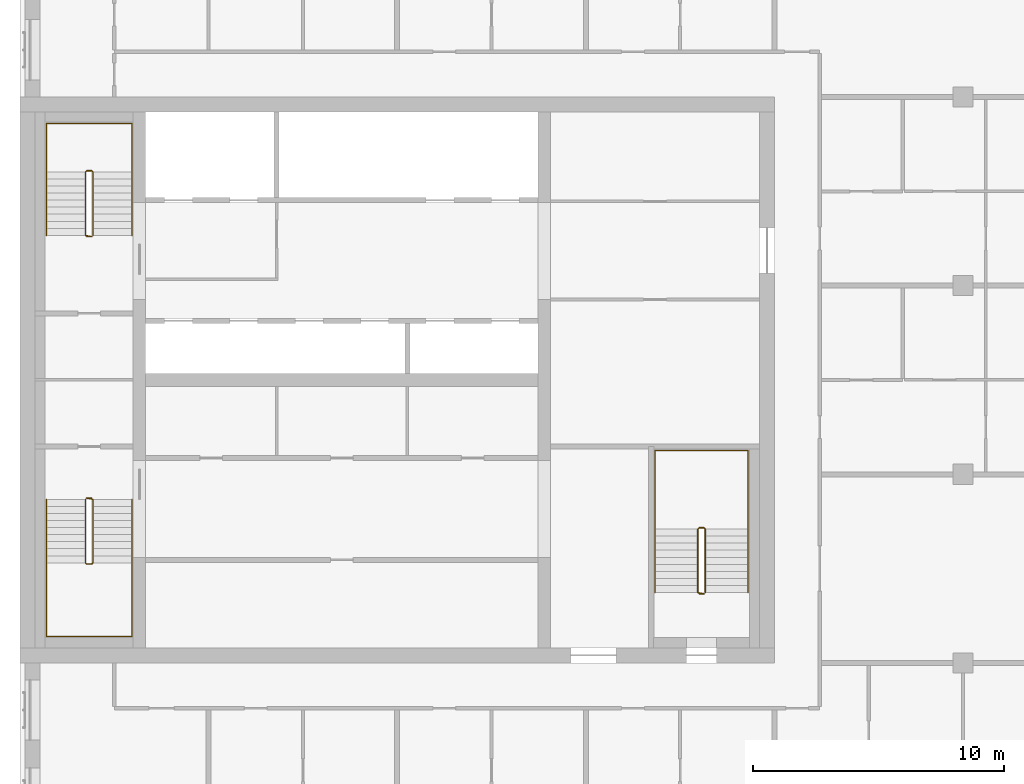
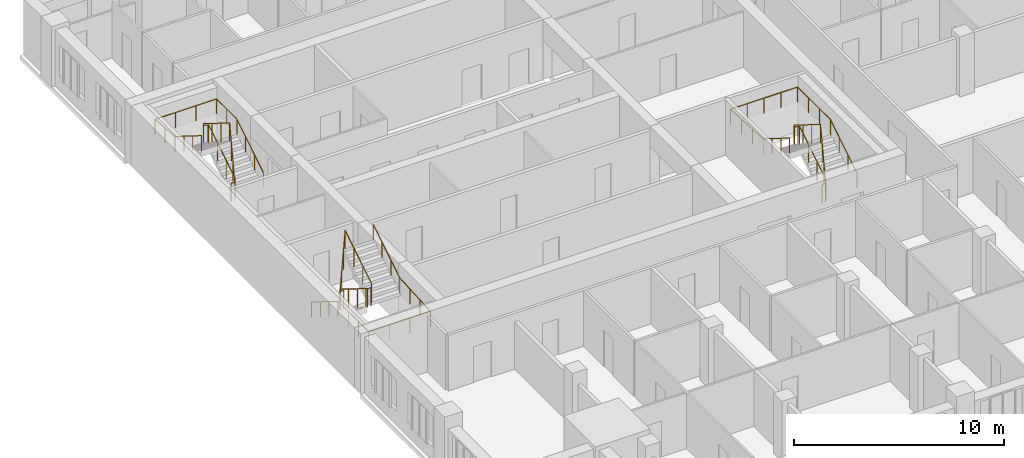
# One storey, part 11 of 11: 6 railings.
"""IFC4 building model written with IfcOpenShell, lengths in metres."""

from ifc_helpers import new_model, si_unit, direction, frame, origin, origin_2d, place, context, subcontext, project, spatial, circle, extrude, material, type_object, element, save


model = new_model("IFC4")

# Units and contexts
model_context = context("Model", 3, precision=1e-05, world=origin(), true_north=direction((0.0, 1.0)))
body_context = subcontext(model_context, "Body", "Model", "MODEL_VIEW")
ifc_project = project(units=[si_unit("LENGTHUNIT", "METRE"), si_unit("AREAUNIT", "SQUARE_METRE"), si_unit("VOLUMEUNIT", "CUBIC_METRE"), si_unit("PLANEANGLEUNIT", "RADIAN"), si_unit("MASSUNIT", "GRAM", prefix="KILO")], contexts=[model_context])

# Site, building, storey
site_placement = place(None, origin())
site = spatial("IfcSite", under=ifc_project, at=site_placement, CompositionType="ELEMENT")
building_placement = place(site_placement, origin())
building = spatial("IfcBuilding", under=site, at=building_placement, Name="Tamorin Gate", CompositionType="ELEMENT")
storey_placement = place(building_placement, frame((0.0, 0.0, 240.699951171875)))
storey = spatial("IfcBuildingStorey", under=building, at=storey_placement, Name="L60", CompositionType="ELEMENT", Elevation=240.699951171875)

# Railings
ifc_material_1 = material(Name="Painted steel balustrade", Category="steel")
railing_type_1 = type_object("IfcRailingType", Name="Stair guard 1100", PredefinedType="GUARDRAIL", material=ifc_material_1)
railing_1_placement = place(storey_placement, frame((32.60009765625, 66.5, 0.175048828125)))
element("IfcRailing", 1, at=railing_1_placement, inside=storey, type_object=railing_type_1, Name="L60 ST1 stair guard 1", PredefinedType="GUARDRAIL", context=body_context, shape_type="SweptSolid", body=[
    extrude(circle(Radius=0.02392578125, at=origin_2d()), frame((0.0, 0.0, 1.076171875), z_axis=(0.0, -0.848007534815, 0.529984170421), x_axis=(1.0, 0.0, 0.0)), (0.0, 0.0, 1.0), 2.9716796875),
    extrude(circle(Radius=0.02392578125, at=origin_2d()), frame((0.0, -2.52001953125, 2.65087890625), z_axis=(0.705375805398, -0.708833529934, 0.0), x_axis=(0.708833529934, 0.705375805398, 0.0)), (0.0, 0.0, 1.0), 0.070556640625),
    extrude(circle(Radius=0.02392578125, at=origin_2d()), frame((0.0498046875, -2.570068359375, 2.65087890625), z_axis=(1.0, 0.0, 0.0), x_axis=(0.0, 1.0, 0.0)), (0.0, 0.0, 1.0), 0.2001953125),
    extrude(circle(Radius=0.02392578125, at=origin_2d()), frame((0.25, -2.570068359375, 2.65087890625), z_axis=(0.263862480399, 0.265155923931, 0.927399011991), x_axis=(-0.708833529934, 0.705375805398, 0.0)), (0.0, 0.0, 1.0), 0.188720703125),
    extrude(circle(Radius=0.02392578125, at=origin_2d()), frame((0.2998046875, -2.52001953125, 2.826171875), z_axis=(0.0, 0.848007534815, 0.529984170421), x_axis=(-1.0, 0.0, 0.0)), (0.0, 0.0, 1.0), 2.9716796875),
    extrude(circle(Radius=0.02392578125, at=origin_2d()), frame((0.2998046875, 0.0, 4.40087890625), z_axis=(-0.071239803756, 0.014261874775, -0.997357252587), x_axis=(-0.196300278283, -0.98054382908, 0.0)), (0.0, 0.0, 1.0), 3.50927734375),
    extrude(circle(Radius=0.02392578125, at=origin_2d()), frame((0.0498046875, 0.050048828125, 0.90087890625), z_axis=(1.0, 0.0, 0.0), x_axis=(0.0, 1.0, 0.0)), (0.0, 0.0, 1.0), 0.2001953125),
    extrude(circle(Radius=0.02099609375, at=origin_2d()), origin(), (0.0, 0.0, 1.0), 1.052001953125),
    extrude(circle(Radius=0.02099609375, at=origin_2d()), frame((0.0, -0.840087890625, 0.52490234375)), (0.0, 0.0, 1.0), 1.052001953125),
    extrude(circle(Radius=0.02099609375, at=origin_2d()), frame((0.0, -1.679931640625, 1.050048828125)), (0.0, 0.0, 1.0), 1.052001953125),
    extrude(circle(Radius=0.02099609375, at=origin_2d()), frame((0.0, -2.52001953125, 1.574951171875)), (0.0, 0.0, 1.0), 1.052001953125),
    extrude(circle(Radius=0.02099609375, at=origin_2d()), frame((0.0498046875, -2.570068359375, 1.574951171875)), (0.0, 0.0, 1.0), 1.052001953125),
    extrude(circle(Radius=0.02099609375, at=origin_2d()), frame((0.25, -2.570068359375, 1.574951171875)), (0.0, 0.0, 1.0), 1.052001953125),
    extrude(circle(Radius=0.02099609375, at=origin_2d()), frame((0.2998046875, -2.52001953125, 1.75)), (0.0, 0.0, 1.0), 1.052001953125),
    extrude(circle(Radius=0.02099609375, at=origin_2d()), frame((0.2998046875, -1.679931640625, 2.27490234375)), (0.0, 0.0, 1.0), 1.052001953125),
    extrude(circle(Radius=0.02099609375, at=origin_2d()), frame((0.2998046875, -0.840087890625, 2.800048828125)), (0.0, 0.0, 1.0), 1.052001953125),
    extrude(circle(Radius=0.02099609375, at=origin_2d()), frame((0.2998046875, 0.0, 3.324951171875)), (0.0, 0.0, 1.0), 1.052001953125),
    extrude(circle(Radius=0.02099609375, at=origin_2d()), frame((0.216552734375, 0.0166015625, 2.158203125)), (0.0, 0.0, 1.0), 1.052001953125),
    extrude(circle(Radius=0.02099609375, at=origin_2d()), frame((0.133056640625, 0.033447265625, 0.99169921875)), (0.0, 0.0, 1.0), 1.052001953125),
    extrude(circle(Radius=0.02099609375, at=origin_2d()), frame((0.0498046875, 0.050048828125, -0.175048828125)), (0.0, 0.0, 1.0), 1.052001953125),
    extrude(circle(Radius=0.02099609375, at=origin_2d()), frame((0.25, 0.050048828125, -0.175048828125)), (0.0, 0.0, 1.0), 1.052001953125),
])
railing_2_placement = place(storey_placement, frame((32.89990234375, 77.0, 0.175048828125)))
element("IfcRailing", 2, at=railing_2_placement, inside=storey, type_object=railing_type_1, Name="L60 ST2 stair guard 1", PredefinedType="GUARDRAIL", context=body_context, shape_type="SweptSolid", body=[
    extrude(circle(Radius=0.02392578125, at=origin_2d()), frame((0.0, 0.0, 1.076171875), z_axis=(0.0, 0.848007534815, 0.529984170421), x_axis=(-1.0, 0.0, 0.0)), (0.0, 0.0, 1.0), 2.9716796875),
    extrude(circle(Radius=0.02392578125, at=origin_2d()), frame((0.0, 2.52001953125, 2.65087890625), z_axis=(-0.705375805398, 0.708833529934, 0.0), x_axis=(-0.708833529934, -0.705375805398, 0.0)), (0.0, 0.0, 1.0), 0.070556640625),
    extrude(circle(Radius=0.02392578125, at=origin_2d()), frame((-0.0498046875, 2.570068359375, 2.65087890625), z_axis=(-1.0, 0.0, 0.0), x_axis=(0.0, -1.0, 0.0)), (0.0, 0.0, 1.0), 0.2001953125),
    extrude(circle(Radius=0.02392578125, at=origin_2d()), frame((-0.25, 2.570068359375, 2.65087890625), z_axis=(-0.263862480399, -0.265155923931, 0.927399011991), x_axis=(0.708833529934, -0.705375805398, 0.0)), (0.0, 0.0, 1.0), 0.188720703125),
    extrude(circle(Radius=0.02392578125, at=origin_2d()), frame((-0.2998046875, 2.52001953125, 2.826171875), z_axis=(0.0, -0.848007534815, 0.529984170421), x_axis=(1.0, 0.0, 0.0)), (0.0, 0.0, 1.0), 2.9716796875),
    extrude(circle(Radius=0.02392578125, at=origin_2d()), frame((-0.2998046875, 0.0, 4.40087890625), z_axis=(0.071239803756, -0.014261874775, -0.997357252587), x_axis=(0.196300278283, 0.98054382908, 0.0)), (0.0, 0.0, 1.0), 3.50927734375),
    extrude(circle(Radius=0.02392578125, at=origin_2d()), frame((-0.0498046875, -0.050048828125, 0.90087890625), z_axis=(-1.0, 0.0, 0.0), x_axis=(0.0, -1.0, 0.0)), (0.0, 0.0, 1.0), 0.2001953125),
    extrude(circle(Radius=0.02099609375, at=origin_2d()), origin(), (0.0, 0.0, 1.0), 1.052001953125),
    extrude(circle(Radius=0.02099609375, at=origin_2d()), frame((0.0, 0.840087890625, 0.52490234375)), (0.0, 0.0, 1.0), 1.052001953125),
    extrude(circle(Radius=0.02099609375, at=origin_2d()), frame((0.0, 1.679931640625, 1.050048828125)), (0.0, 0.0, 1.0), 1.052001953125),
    extrude(circle(Radius=0.02099609375, at=origin_2d()), frame((0.0, 2.52001953125, 1.574951171875)), (0.0, 0.0, 1.0), 1.052001953125),
    extrude(circle(Radius=0.02099609375, at=origin_2d()), frame((-0.0498046875, 2.570068359375, 1.574951171875)), (0.0, 0.0, 1.0), 1.052001953125),
    extrude(circle(Radius=0.02099609375, at=origin_2d()), frame((-0.25, 2.570068359375, 1.574951171875)), (0.0, 0.0, 1.0), 1.052001953125),
    extrude(circle(Radius=0.02099609375, at=origin_2d()), frame((-0.2998046875, 2.52001953125, 1.75)), (0.0, 0.0, 1.0), 1.052001953125),
    extrude(circle(Radius=0.02099609375, at=origin_2d()), frame((-0.2998046875, 1.679931640625, 2.27490234375)), (0.0, 0.0, 1.0), 1.052001953125),
    extrude(circle(Radius=0.02099609375, at=origin_2d()), frame((-0.2998046875, 0.840087890625, 2.800048828125)), (0.0, 0.0, 1.0), 1.052001953125),
    extrude(circle(Radius=0.02099609375, at=origin_2d()), frame((-0.2998046875, 0.0, 3.324951171875)), (0.0, 0.0, 1.0), 1.052001953125),
    extrude(circle(Radius=0.02099609375, at=origin_2d()), frame((-0.216552734375, -0.0166015625, 2.158203125)), (0.0, 0.0, 1.0), 1.052001953125),
    extrude(circle(Radius=0.02099609375, at=origin_2d()), frame((-0.133056640625, -0.033447265625, 0.99169921875)), (0.0, 0.0, 1.0), 1.052001953125),
    extrude(circle(Radius=0.02099609375, at=origin_2d()), frame((-0.0498046875, -0.050048828125, -0.175048828125)), (0.0, 0.0, 1.0), 1.052001953125),
    extrude(circle(Radius=0.02099609375, at=origin_2d()), frame((-0.25, -0.050048828125, -0.175048828125)), (0.0, 0.0, 1.0), 1.052001953125),
])
railing_3_placement = place(storey_placement, frame((57.25, 62.800048828125, 0.175048828125)))
element("IfcRailing", 3, at=railing_3_placement, inside=storey, type_object=railing_type_1, Name="L60 ST3 stair guard 1", PredefinedType="GUARDRAIL", context=body_context, shape_type="SweptSolid", body=[
    extrude(circle(Radius=0.02392578125, at=origin_2d()), frame((0.0, 0.0, 1.076171875), z_axis=(0.0, 0.848007534815, 0.529984170421), x_axis=(-1.0, 0.0, 0.0)), (0.0, 0.0, 1.0), 2.9716796875),
    extrude(circle(Radius=0.02392578125, at=origin_2d()), frame((0.0, 2.52001953125, 2.65087890625), z_axis=(-0.707106781187, 0.707106781187, 0.0), x_axis=(-0.707106781187, -0.707106781187, 0.0)), (0.0, 0.0, 1.0), 0.07080078125),
    extrude(circle(Radius=0.02392578125, at=origin_2d()), frame((-0.050048828125, 2.570068359375, 2.65087890625), z_axis=(-1.0, 0.0, 0.0), x_axis=(0.0, -1.0, 0.0)), (0.0, 0.0, 1.0), 0.199951171875),
    extrude(circle(Radius=0.02392578125, at=origin_2d()), frame((-0.25, 2.570068359375, 2.65087890625), z_axis=(-0.265065253269, -0.265065253269, 0.927081885822), x_axis=(0.707106781187, -0.707106781187, 0.0)), (0.0, 0.0, 1.0), 0.188720703125),
    extrude(circle(Radius=0.02392578125, at=origin_2d()), frame((-0.300048828125, 2.52001953125, 2.826171875), z_axis=(0.0, -0.848007534815, 0.529984170421), x_axis=(1.0, 0.0, 0.0)), (0.0, 0.0, 1.0), 2.9716796875),
    extrude(circle(Radius=0.02392578125, at=origin_2d()), frame((-0.300048828125, 0.0, 4.40087890625), z_axis=(0.071239803756, -0.014261874775, -0.997357252587), x_axis=(0.196300278283, 0.98054382908, 0.0)), (0.0, 0.0, 1.0), 3.50927734375),
    extrude(circle(Radius=0.02392578125, at=origin_2d()), frame((-0.050048828125, -0.050048828125, 0.90087890625), z_axis=(-1.0, 0.0, 0.0), x_axis=(0.0, -1.0, 0.0)), (0.0, 0.0, 1.0), 0.199951171875),
    extrude(circle(Radius=0.02099609375, at=origin_2d()), origin(), (0.0, 0.0, 1.0), 1.052001953125),
    extrude(circle(Radius=0.02099609375, at=origin_2d()), frame((0.0, 0.840087890625, 0.52490234375)), (0.0, 0.0, 1.0), 1.052001953125),
    extrude(circle(Radius=0.02099609375, at=origin_2d()), frame((0.0, 1.679931640625, 1.050048828125)), (0.0, 0.0, 1.0), 1.052001953125),
    extrude(circle(Radius=0.02099609375, at=origin_2d()), frame((0.0, 2.52001953125, 1.574951171875)), (0.0, 0.0, 1.0), 1.052001953125),
    extrude(circle(Radius=0.02099609375, at=origin_2d()), frame((-0.050048828125, 2.570068359375, 1.574951171875)), (0.0, 0.0, 1.0), 1.052001953125),
    extrude(circle(Radius=0.02099609375, at=origin_2d()), frame((-0.25, 2.570068359375, 1.574951171875)), (0.0, 0.0, 1.0), 1.052001953125),
    extrude(circle(Radius=0.02099609375, at=origin_2d()), frame((-0.300048828125, 2.52001953125, 1.75)), (0.0, 0.0, 1.0), 1.052001953125),
    extrude(circle(Radius=0.02099609375, at=origin_2d()), frame((-0.300048828125, 1.679931640625, 2.27490234375)), (0.0, 0.0, 1.0), 1.052001953125),
    extrude(circle(Radius=0.02099609375, at=origin_2d()), frame((-0.300048828125, 0.840087890625, 2.800048828125)), (0.0, 0.0, 1.0), 1.052001953125),
    extrude(circle(Radius=0.02099609375, at=origin_2d()), frame((-0.300048828125, 0.0, 3.324951171875)), (0.0, 0.0, 1.0), 1.052001953125),
    extrude(circle(Radius=0.02099609375, at=origin_2d()), frame((-0.216796875, -0.0166015625, 2.158203125)), (0.0, 0.0, 1.0), 1.052001953125),
    extrude(circle(Radius=0.02099609375, at=origin_2d()), frame((-0.13330078125, -0.033447265625, 0.99169921875)), (0.0, 0.0, 1.0), 1.052001953125),
    extrude(circle(Radius=0.02099609375, at=origin_2d()), frame((-0.050048828125, -0.050048828125, -0.175048828125)), (0.0, 0.0, 1.0), 1.052001953125),
    extrude(circle(Radius=0.02099609375, at=origin_2d()), frame((-0.25, -0.050048828125, -0.175048828125)), (0.0, 0.0, 1.0), 1.052001953125),
])
ifc_material_2 = material(Name="Painted steel handrail", Category="steel")
railing_type_2 = type_object("IfcRailingType", Name="Stair handrail 900", PredefinedType="HANDRAIL", material=ifc_material_2)
railing_4_placement = place(storey_placement, frame((31.050048828125, 66.5, 0.175048828125)))
element("IfcRailing", 4, at=railing_4_placement, inside=storey, type_object=railing_type_2, Name="L60 ST1 stair handrail 1", PredefinedType="HANDRAIL", context=body_context, shape_type="SweptSolid", body=[
    extrude(circle(Radius=0.02392578125, at=origin_2d()), frame((0.0, 0.0, 0.8759765625), z_axis=(0.0, -0.848007534815, 0.529984170421), x_axis=(1.0, 0.0, 0.0)), (0.0, 0.0, 1.0), 2.9716796875),
    extrude(circle(Radius=0.02392578125, at=origin_2d()), frame((0.0, -2.52001953125, 2.45068359375), z_axis=(0.0, -1.0, 0.0), x_axis=(1.0, 0.0, 0.0)), (0.0, 0.0, 1.0), 2.929931640625),
    extrude(circle(Radius=0.02392578125, at=origin_2d()), frame((0.0, -5.449951171875, 2.45068359375), z_axis=(1.0, 0.0, 0.0), x_axis=(0.0, 1.0, 0.0)), (0.0, 0.0, 1.0), 3.39990234375),
    extrude(circle(Radius=0.02392578125, at=origin_2d()), frame((3.39990234375, -5.449951171875, 2.45068359375), z_axis=(0.0, 0.998220029962, 0.0596386769), x_axis=(-1.0, 0.0, 0.0)), (0.0, 0.0, 1.0), 2.93505859375),
    extrude(circle(Radius=0.02392578125, at=origin_2d()), frame((3.39990234375, -2.52001953125, 2.6259765625), z_axis=(0.0, 0.848007534815, 0.529984170421), x_axis=(-1.0, 0.0, 0.0)), (0.0, 0.0, 1.0), 2.9716796875),
    extrude(circle(Radius=0.02099609375, at=origin_2d()), origin(), (0.0, 0.0, 1.0), 0.851806640625),
    extrude(circle(Radius=0.02099609375, at=origin_2d()), frame((0.0, -0.840087890625, 0.52490234375)), (0.0, 0.0, 1.0), 0.851806640625),
    extrude(circle(Radius=0.02099609375, at=origin_2d()), frame((0.0, -1.679931640625, 1.050048828125)), (0.0, 0.0, 1.0), 0.851806640625),
    extrude(circle(Radius=0.02099609375, at=origin_2d()), frame((0.0, -2.52001953125, 1.574951171875)), (0.0, 0.0, 1.0), 0.851806640625),
    extrude(circle(Radius=0.02099609375, at=origin_2d()), frame((0.0, -3.49658203125, 1.574951171875)), (0.0, 0.0, 1.0), 0.851806640625),
    extrude(circle(Radius=0.02099609375, at=origin_2d()), frame((0.0, -4.473388671875, 1.574951171875)), (0.0, 0.0, 1.0), 0.851806640625),
    extrude(circle(Radius=0.02099609375, at=origin_2d()), frame((0.0, -5.449951171875, 1.574951171875)), (0.0, 0.0, 1.0), 0.851806640625),
    extrude(circle(Radius=0.02099609375, at=origin_2d()), frame((1.13330078125, -5.449951171875, 1.574951171875)), (0.0, 0.0, 1.0), 0.851806640625),
    extrude(circle(Radius=0.02099609375, at=origin_2d()), frame((2.2666015625, -5.449951171875, 1.574951171875)), (0.0, 0.0, 1.0), 0.851806640625),
    extrude(circle(Radius=0.02099609375, at=origin_2d()), frame((3.39990234375, -5.449951171875, 1.574951171875)), (0.0, 0.0, 1.0), 0.851806640625),
    extrude(circle(Radius=0.02099609375, at=origin_2d()), frame((3.39990234375, -4.473388671875, 1.63330078125)), (0.0, 0.0, 1.0), 0.851806640625),
    extrude(circle(Radius=0.02099609375, at=origin_2d()), frame((3.39990234375, -3.49658203125, 1.691650390625)), (0.0, 0.0, 1.0), 0.851806640625),
    extrude(circle(Radius=0.02099609375, at=origin_2d()), frame((3.39990234375, -2.52001953125, 1.75)), (0.0, 0.0, 1.0), 0.851806640625),
    extrude(circle(Radius=0.02099609375, at=origin_2d()), frame((3.39990234375, -1.679931640625, 2.27490234375)), (0.0, 0.0, 1.0), 0.851806640625),
    extrude(circle(Radius=0.02099609375, at=origin_2d()), frame((3.39990234375, -0.840087890625, 2.800048828125)), (0.0, 0.0, 1.0), 0.851806640625),
    extrude(circle(Radius=0.02099609375, at=origin_2d()), frame((3.39990234375, 0.0, 3.324951171875)), (0.0, 0.0, 1.0), 0.851806640625),
])
railing_5_placement = place(storey_placement, frame((34.449951171875, 77.0, 0.175048828125)))
element("IfcRailing", 5, at=railing_5_placement, inside=storey, type_object=railing_type_2, Name="L60 ST2 stair handrail 1", PredefinedType="HANDRAIL", context=body_context, shape_type="SweptSolid", body=[
    extrude(circle(Radius=0.02392578125, at=origin_2d()), frame((0.0, 0.0, 0.8759765625), z_axis=(0.0, 0.848007534815, 0.529984170421), x_axis=(-1.0, 0.0, 0.0)), (0.0, 0.0, 1.0), 2.9716796875),
    extrude(circle(Radius=0.02392578125, at=origin_2d()), frame((0.0, 2.52001953125, 2.45068359375), z_axis=(0.0, 1.0, 0.0), x_axis=(-1.0, 0.0, 0.0)), (0.0, 0.0, 1.0), 1.929931640625),
    extrude(circle(Radius=0.02392578125, at=origin_2d()), frame((0.0, 4.449951171875, 2.45068359375), z_axis=(-1.0, 0.0, 0.0), x_axis=(0.0, -1.0, 0.0)), (0.0, 0.0, 1.0), 3.39990234375),
    extrude(circle(Radius=0.02392578125, at=origin_2d()), frame((-3.39990234375, 4.449951171875, 2.45068359375), z_axis=(0.0, -0.995911773435, 0.090331276604), x_axis=(1.0, 0.0, 0.0)), (0.0, 0.0, 1.0), 1.937744140625),
    extrude(circle(Radius=0.02392578125, at=origin_2d()), frame((-3.39990234375, 2.52001953125, 2.6259765625), z_axis=(0.0, -0.848007534815, 0.529984170421), x_axis=(1.0, 0.0, 0.0)), (0.0, 0.0, 1.0), 2.9716796875),
    extrude(circle(Radius=0.02099609375, at=origin_2d()), origin(), (0.0, 0.0, 1.0), 0.851806640625),
    extrude(circle(Radius=0.02099609375, at=origin_2d()), frame((0.0, 0.840087890625, 0.52490234375)), (0.0, 0.0, 1.0), 0.851806640625),
    extrude(circle(Radius=0.02099609375, at=origin_2d()), frame((0.0, 1.679931640625, 1.050048828125)), (0.0, 0.0, 1.0), 0.851806640625),
    extrude(circle(Radius=0.02099609375, at=origin_2d()), frame((0.0, 2.52001953125, 1.574951171875)), (0.0, 0.0, 1.0), 0.851806640625),
    extrude(circle(Radius=0.02099609375, at=origin_2d()), frame((0.0, 3.48486328125, 1.574951171875)), (0.0, 0.0, 1.0), 0.851806640625),
    extrude(circle(Radius=0.02099609375, at=origin_2d()), frame((0.0, 4.449951171875, 1.574951171875)), (0.0, 0.0, 1.0), 0.851806640625),
    extrude(circle(Radius=0.02099609375, at=origin_2d()), frame((-1.13330078125, 4.449951171875, 1.574951171875)), (0.0, 0.0, 1.0), 0.851806640625),
    extrude(circle(Radius=0.02099609375, at=origin_2d()), frame((-2.2666015625, 4.449951171875, 1.574951171875)), (0.0, 0.0, 1.0), 0.851806640625),
    extrude(circle(Radius=0.02099609375, at=origin_2d()), frame((-3.39990234375, 4.449951171875, 1.574951171875)), (0.0, 0.0, 1.0), 0.851806640625),
    extrude(circle(Radius=0.02099609375, at=origin_2d()), frame((-3.39990234375, 3.48486328125, 1.66259765625)), (0.0, 0.0, 1.0), 0.851806640625),
    extrude(circle(Radius=0.02099609375, at=origin_2d()), frame((-3.39990234375, 2.52001953125, 1.75)), (0.0, 0.0, 1.0), 0.851806640625),
    extrude(circle(Radius=0.02099609375, at=origin_2d()), frame((-3.39990234375, 1.679931640625, 2.27490234375)), (0.0, 0.0, 1.0), 0.851806640625),
    extrude(circle(Radius=0.02099609375, at=origin_2d()), frame((-3.39990234375, 0.840087890625, 2.800048828125)), (0.0, 0.0, 1.0), 0.851806640625),
    extrude(circle(Radius=0.02099609375, at=origin_2d()), frame((-3.39990234375, 0.0, 3.324951171875)), (0.0, 0.0, 1.0), 0.851806640625),
])
railing_6_placement = place(storey_placement, frame((58.949951171875, 62.800048828125, 0.175048828125)))
element("IfcRailing", 6, at=railing_6_placement, inside=storey, type_object=railing_type_2, Name="L60 ST3 stair handrail 1", PredefinedType="HANDRAIL", context=body_context, shape_type="SweptSolid", body=[
    extrude(circle(Radius=0.02392578125, at=origin_2d()), frame((0.0, 0.0, 0.8759765625), z_axis=(0.0, 0.848007534815, 0.529984170421), x_axis=(-1.0, 0.0, 0.0)), (0.0, 0.0, 1.0), 2.9716796875),
    extrude(circle(Radius=0.02392578125, at=origin_2d()), frame((0.0, 2.52001953125, 2.45068359375), z_axis=(0.0, 1.0, 0.0), x_axis=(-1.0, 0.0, 0.0)), (0.0, 0.0, 1.0), 3.1298828125),
    extrude(circle(Radius=0.02392578125, at=origin_2d()), frame((0.0, 5.64990234375, 2.45068359375), z_axis=(-1.0, 0.0, 0.0), x_axis=(0.0, -1.0, 0.0)), (0.0, 0.0, 1.0), 3.699951171875),
    extrude(circle(Radius=0.02392578125, at=origin_2d()), frame((-3.699951171875, 5.64990234375, 2.45068359375), z_axis=(0.0, -0.998439675676, 0.055840970941), x_axis=(1.0, 0.0, 0.0)), (0.0, 0.0, 1.0), 3.134765625),
    extrude(circle(Radius=0.02392578125, at=origin_2d()), frame((-3.699951171875, 2.52001953125, 2.6259765625), z_axis=(0.0, -0.848007534815, 0.529984170421), x_axis=(1.0, 0.0, 0.0)), (0.0, 0.0, 1.0), 2.9716796875),
    extrude(circle(Radius=0.02099609375, at=origin_2d()), origin(), (0.0, 0.0, 1.0), 0.851806640625),
    extrude(circle(Radius=0.02099609375, at=origin_2d()), frame((0.0, 0.840087890625, 0.52490234375)), (0.0, 0.0, 1.0), 0.851806640625),
    extrude(circle(Radius=0.02099609375, at=origin_2d()), frame((0.0, 1.679931640625, 1.050048828125)), (0.0, 0.0, 1.0), 0.851806640625),
    extrude(circle(Radius=0.02099609375, at=origin_2d()), frame((0.0, 2.52001953125, 1.574951171875)), (0.0, 0.0, 1.0), 0.851806640625),
    extrude(circle(Radius=0.02099609375, at=origin_2d()), frame((0.0, 3.563232421875, 1.574951171875)), (0.0, 0.0, 1.0), 0.851806640625),
    extrude(circle(Radius=0.02099609375, at=origin_2d()), frame((0.0, 4.606689453125, 1.574951171875)), (0.0, 0.0, 1.0), 0.851806640625),
    extrude(circle(Radius=0.02099609375, at=origin_2d()), frame((0.0, 5.64990234375, 1.574951171875)), (0.0, 0.0, 1.0), 0.851806640625),
    extrude(circle(Radius=0.02099609375, at=origin_2d()), frame((-0.925048828125, 5.64990234375, 1.574951171875)), (0.0, 0.0, 1.0), 0.851806640625),
    extrude(circle(Radius=0.02099609375, at=origin_2d()), frame((-1.85009765625, 5.64990234375, 1.574951171875)), (0.0, 0.0, 1.0), 0.851806640625),
    extrude(circle(Radius=0.02099609375, at=origin_2d()), frame((-2.77490234375, 5.64990234375, 1.574951171875)), (0.0, 0.0, 1.0), 0.851806640625),
    extrude(circle(Radius=0.02099609375, at=origin_2d()), frame((-3.699951171875, 5.64990234375, 1.574951171875)), (0.0, 0.0, 1.0), 0.851806640625),
    extrude(circle(Radius=0.02099609375, at=origin_2d()), frame((-3.699951171875, 4.606689453125, 1.63330078125)), (0.0, 0.0, 1.0), 0.851806640625),
    extrude(circle(Radius=0.02099609375, at=origin_2d()), frame((-3.699951171875, 3.563232421875, 1.691650390625)), (0.0, 0.0, 1.0), 0.851806640625),
    extrude(circle(Radius=0.02099609375, at=origin_2d()), frame((-3.699951171875, 2.52001953125, 1.75)), (0.0, 0.0, 1.0), 0.851806640625),
    extrude(circle(Radius=0.02099609375, at=origin_2d()), frame((-3.699951171875, 1.679931640625, 2.27490234375)), (0.0, 0.0, 1.0), 0.851806640625),
    extrude(circle(Radius=0.02099609375, at=origin_2d()), frame((-3.699951171875, 0.840087890625, 2.800048828125)), (0.0, 0.0, 1.0), 0.851806640625),
    extrude(circle(Radius=0.02099609375, at=origin_2d()), frame((-3.699951171875, 0.0, 3.324951171875)), (0.0, 0.0, 1.0), 0.851806640625),
])

save(model, "model.ifc")
